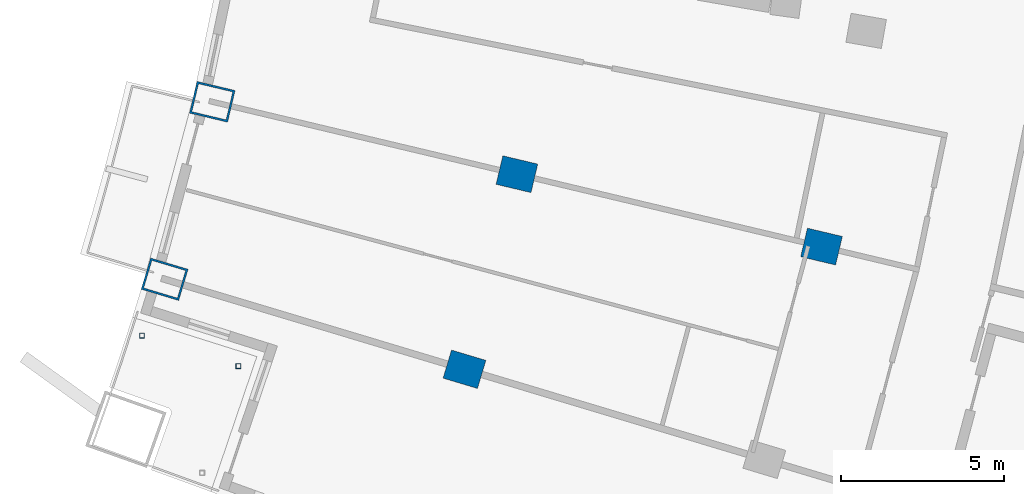
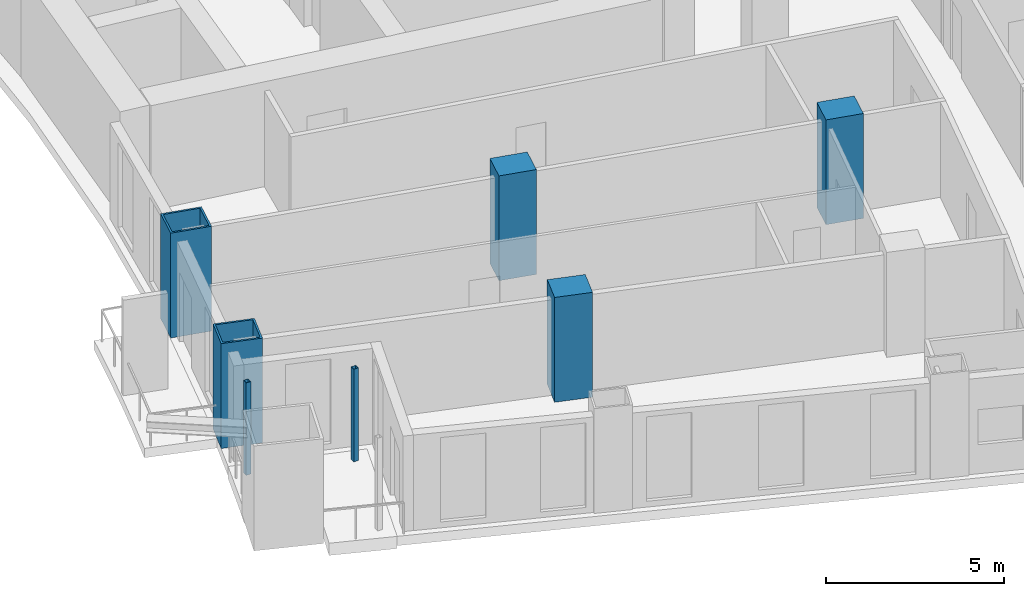
# One storey, part 3 of 25: 7 columns.
"""IFC4 building model written with IfcOpenShell, lengths in metres."""

from ifc_helpers import new_model, si_unit, direction, frame, origin, origin_2d, place, context, subcontext, project, spatial, rectangle, hollow_rectangle, extrude, material, material_profile, profile_set, type_object, element, save


model = new_model("IFC4")

# Units and contexts
model_context = context("Model", 3, precision=1e-05, world=origin(), true_north=direction((0.0, 1.0)))
body_context = subcontext(model_context, "Body", "Model", "MODEL_VIEW")
ifc_project = project(units=[si_unit("LENGTHUNIT", "METRE"), si_unit("AREAUNIT", "SQUARE_METRE"), si_unit("VOLUMEUNIT", "CUBIC_METRE"), si_unit("PLANEANGLEUNIT", "RADIAN"), si_unit("MASSUNIT", "GRAM", prefix="KILO")], contexts=[model_context])

# Site, building, storey
site_placement = place(None, origin())
site = spatial("IfcSite", under=ifc_project, at=site_placement, CompositionType="ELEMENT")
building_placement = place(site_placement, origin())
building = spatial("IfcBuilding", under=site, at=building_placement, Name="Alderwake Tower", CompositionType="ELEMENT")
storey_placement = place(building_placement, frame((0.0, 0.0, 68.0)))
storey = spatial("IfcBuildingStorey", under=building, at=storey_placement, Name="L16", CompositionType="ELEMENT", Elevation=68.0)

# Columns
ifc_material_1 = material(Name="Concrete C70/85", Category="concrete")
ifc_material_profile_1 = material_profile(ifc_material_1, rectangle(XDim=0.89990234375, YDim=1.10009765625, at=origin_2d()), Name="RC 1100X900")
ifc_profile_set_1 = profile_set([ifc_material_profile_1], Name="Concrete C70/85")
column_type_1 = type_object("IfcColumnType", Name="Interior column Z1", PredefinedType="COLUMN", material=ifc_profile_set_1)
for number, where, z_axis, x_axis, name in (
    (1, (21.714599609375, 30.46240234375, 0.0), (0.0, 0.0, 1.0), (0.287549418125, 0.957765802342, 0.0), "Column R02-C1"),
    (2, (23.322021484375, 36.444091796875, 0.0), (0.0, 0.0, 1.0), (0.231221547198, 0.972901123502, 0.0), "Column R03-C1"),
    (3, (32.661865234375, 34.224609375, 0.0), (0.0, 0.0, 1.0), (0.231221547198, 0.972901123502, 0.0), "Column R03-C2"),
):
    element("IfcColumn", number, at=place(storey_placement, frame(where, z_axis=z_axis, x_axis=x_axis)), inside=storey, type_object=column_type_1, Name=name, PredefinedType="COLUMN", context=body_context, shape_type="SweptSolid", body=[
        extrude(rectangle(XDim=0.89990234375, YDim=1.10009765625, at=origin_2d()), origin(), (0.0, 0.0, 1.0), 3.60009765625),
    ])
ifc_material_2 = material(Name="Steel ASTM A500 Grade C", Category="steel")
ifc_material_profile_2 = material_profile(ifc_material_2, hollow_rectangle(XDim=0.15234375, YDim=0.15234375, WallThickness=0.0087890625, at=origin_2d()), Name="HSS6X6X3/8")
ifc_profile_set_2 = profile_set([ifc_material_profile_2], Name="Steel ASTM A500 Grade C")
column_type_2 = type_object("IfcColumnType", Name="Light post HSS6X6X3/8", PredefinedType="COLUMN", material=ifc_profile_set_2)
for number, where, z_axis, x_axis, name in (
    (4, (11.82568359375, 31.492919921875, 0.0), (0.0, 0.0, 1.0), (1.0, 0.0, 0.0), "Terrace post RS1"),
    (5, (14.781494140625, 30.558349609375, 0.0), (0.0, 0.0, 1.0), (1.0, 0.0, 0.0), "Terrace post RS3"),
):
    element("IfcColumn", number, at=place(storey_placement, frame(where, z_axis=z_axis, x_axis=x_axis)), inside=storey, type_object=column_type_2, Name=name, PredefinedType="COLUMN", context=body_context, shape_type="SweptSolid", body=[
        extrude(hollow_rectangle(XDim=0.15234375, YDim=0.15234375, WallThickness=0.0087890625, at=origin_2d()), origin(), (0.0, 0.0, 1.0), 3.179931640625),
    ])
ifc_material_3 = material(Name="Steel ASTM A572 Grade 50 concrete filled C70/85", Category="concrete")
ifc_material_profile_3 = material_profile(ifc_material_3, hollow_rectangle(XDim=1.0, YDim=1.199951171875, WallThickness=0.06005859375, at=origin_2d()), Name="BOX 1200X1000X60")
ifc_profile_set_3 = profile_set([ifc_material_profile_3], Name="Steel ASTM A572 Grade 50 concrete filled C70/85")
column_type_3 = type_object("IfcColumnType", Name="Perimeter column Z1", PredefinedType="COLUMN", material=ifc_profile_set_3)
for number, where, z_axis, x_axis, name in (
    (6, (12.520263671875, 33.222900390625, 0.0), (0.0, 0.0, 1.0), (0.287549418125, 0.957765802342, 0.0), "Column R02-C0"),
    (7, (13.982177734375, 38.6640625, 0.0), (0.0, 0.0, 1.0), (0.231221547198, 0.972901123502, 0.0), "Column R03-C0"),
):
    element("IfcColumn", number, at=place(storey_placement, frame(where, z_axis=z_axis, x_axis=x_axis)), inside=storey, type_object=column_type_3, Name=name, PredefinedType="COLUMN", context=body_context, shape_type="SweptSolid", body=[
        extrude(hollow_rectangle(XDim=1.0, YDim=1.199951171875, WallThickness=0.06005859375, at=origin_2d()), origin(), (0.0, 0.0, 1.0), 3.60009765625),
    ])

save(model, "model.ifc")
